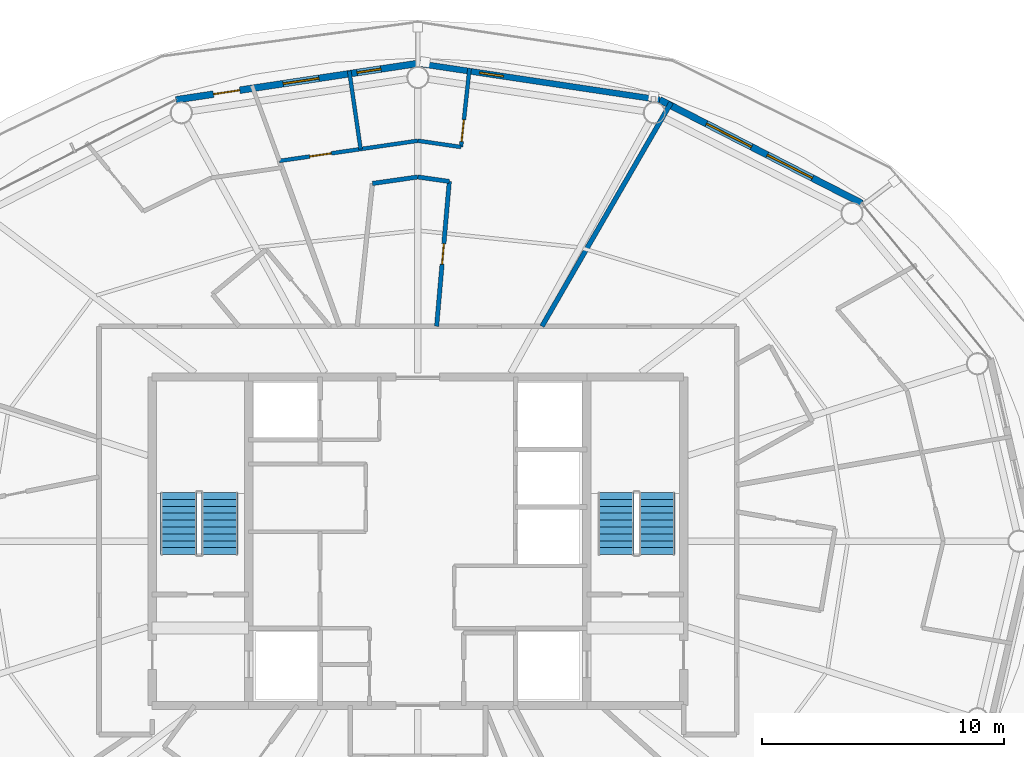
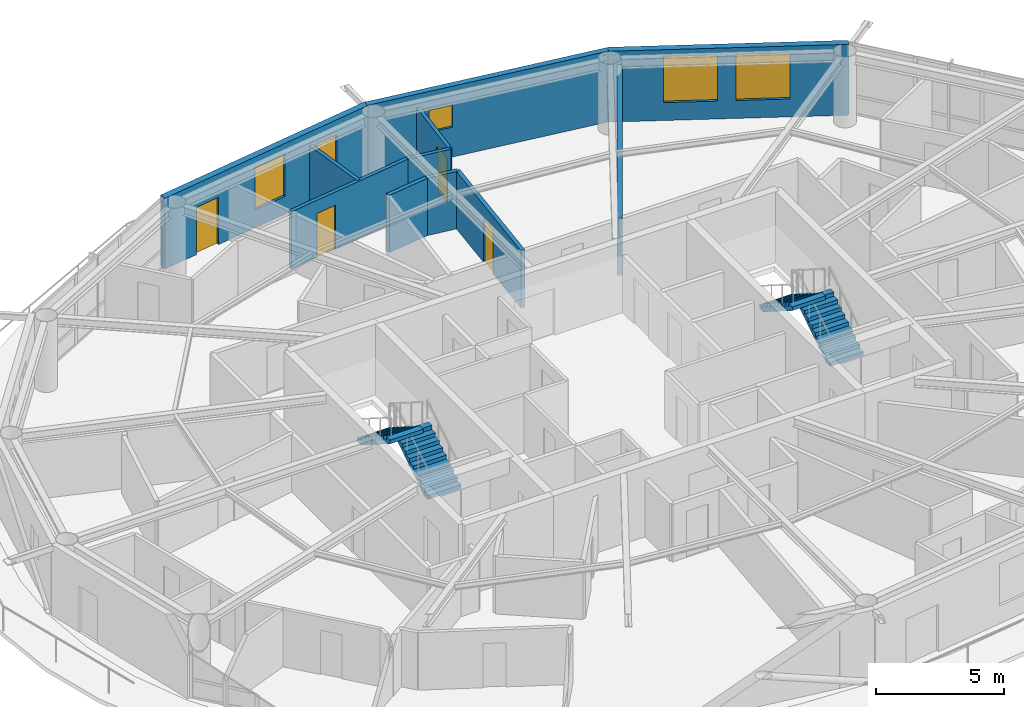
# One storey, part 19 of 22: 11 walls, 5 windows, 4 doors, 4 stair flights, 9 openings, 2 elements without a shape of their own.
"""IFC4 building model written with IfcOpenShell, lengths in metres."""

from ifc_helpers import new_model, si_unit, direction, frame, frame_2d, origin, place, context, subcontext, project, spatial, polyline, rectangle, outline, extrude, material, layer, layer_set, type_object, element, fill, aggregate, save


model = new_model("IFC4")

# Units and contexts
model_context = context("Model", 3, precision=1e-05, world=origin(), true_north=direction((0.0, 1.0)))
body_context = subcontext(model_context, "Body", "Model", "MODEL_VIEW")
ifc_project = project(units=[si_unit("LENGTHUNIT", "METRE"), si_unit("AREAUNIT", "SQUARE_METRE"), si_unit("VOLUMEUNIT", "CUBIC_METRE"), si_unit("PLANEANGLEUNIT", "RADIAN"), si_unit("MASSUNIT", "GRAM", prefix="KILO")], contexts=[model_context])

# Site, building, storey
site_placement = place(None, origin())
site = spatial("IfcSite", under=ifc_project, at=site_placement, CompositionType="ELEMENT")
building_placement = place(site_placement, origin())
building = spatial("IfcBuilding", under=site, at=building_placement, Name="Sarneth Arch Tower", CompositionType="ELEMENT")
storey_placement = place(building_placement, frame((0.0, 0.0, 298.199951171875)))
storey = spatial("IfcBuildingStorey", under=building, at=storey_placement, Name="L77", CompositionType="ELEMENT", Elevation=298.199951171875)

# Wall, opening, window
ifc_material_1 = material(Name="Extruded terracotta rainscreen on Concrete C40/50 backing", Category="masonry")
ifc_layer_1 = layer(ifc_material_1, 0.25)
ifc_layer_set_1 = layer_set([ifc_layer_1], Name="Extruded terracotta rainscreen on Concrete C40/50 backing")
wall_type_1 = type_object("IfcWallType", Name="WALL-EXT-SPAND-250", PredefinedType="SOLIDWALL", material=ifc_layer_set_1)
wall_1_placement = place(storey_placement, frame((58.0126953125, 60.2744140625, 0.0), z_axis=(0.0, 0.0, 1.0), x_axis=(-0.988882522213, 0.148698881169, 0.0)))
wall_1 = element("IfcWall", 1, at=wall_1_placement, inside=storey, type_object=wall_type_1, Name="L77 Terracotta perimeter wall 04", PredefinedType="SOLIDWALL", context=body_context, shape_type="SweptSolid", body=[
    extrude(rectangle(XDim=10.125244140625, YDim=0.25, at=frame_2d((5.0625, 0.0))), origin(), (0.0, 0.0, 1.0), 3.3701171875),
])
opening_1_placement = place(wall_1_placement, frame((6.5419921875, 0.0, 1.419921875)))
opening_1 = element("IfcOpeningElement", 2, at=opening_1_placement, cuts=wall_1, Name="Opening W-14", PredefinedType="OPENING", context=body_context, shape_type="SweptSolid", body=[
    extrude(rectangle(XDim=1.0, YDim=1.050048828125, at=frame_2d((0.5, 0.52490234375))), frame((0.0, 0.135009765625, 0.0), z_axis=(0.0, -1.0, 0.0), x_axis=(1.0, 0.0, 0.0)), (0.0, 0.0, 1.0), 0.27001953125),
])
ifc_material_2 = material(Name="Thermally broken Aluminium 6063-T6 and low-e laminated IGU", Category="aluminium")
window_type_1 = type_object("IfcWindowType", Name="WIN-TWR-1000x1050", PartitioningType="SINGLE_PANEL", PredefinedType="WINDOW", material=ifc_material_2)
window_1_placement = place(opening_1_placement, origin())
window_1 = element("IfcWindow", 3, at=window_1_placement, inside=storey, type_object=window_type_1, Name="L77 Dwelling bedroom window 01", OverallHeight=1.050048828125, OverallWidth=1.0, PartitioningType="SINGLE_PANEL", PredefinedType="WINDOW", context=body_context, shape_type="SweptSolid", body=[
    extrude(rectangle(XDim=1.0, YDim=1.050048828125, at=frame_2d((0.5, 0.52490234375))), frame((0.0, 0.030029296875, 0.0), z_axis=(0.0, -1.0, 0.0), x_axis=(1.0, 0.0, 0.0)), (0.0, 0.0, 1.0), 0.06005859375),
])
fill(opening_1, window_1)

# Wall, openings, windows
ifc_material_3 = material(Name="Extruded terracotta rainscreen on Concrete C40/50 backing", Category="masonry")
ifc_layer_2 = layer(ifc_material_3, 0.280029296875)
ifc_layer_set_2 = layer_set([ifc_layer_2], Name="Extruded terracotta rainscreen on Concrete C40/50 backing")
wall_type_2 = type_object("IfcWallType", Name="WALL-EXT-TERRA-280", PredefinedType="SOLIDWALL", material=ifc_layer_set_2)
wall_2_placement = place(storey_placement, frame((66.382568359375, 55.986572265625, 0.0), z_axis=(0.0, 0.0, 1.0), x_axis=(-0.890007394051, 0.455946091699, 0.0)))
wall_2 = element("IfcWall", 4, at=wall_2_placement, inside=storey, type_object=wall_type_2, Name="L77 Terracotta perimeter wall 03", PredefinedType="SOLIDWALL", context=body_context, shape_type="SweptSolid", body=[
    extrude(rectangle(XDim=9.404296875, YDim=0.280029296875, at=frame_2d((4.7021484375, 0.0))), origin(), (0.0, 0.0, 1.0), 3.3701171875),
])
opening_2_placement = place(wall_2_placement, frame((2.302734375, 0.0, 0.85009765625)))
opening_2 = element("IfcOpeningElement", 5, at=opening_2_placement, cuts=wall_2, Name="Opening W-03", PredefinedType="OPENING", context=body_context, shape_type="SweptSolid", body=[
    extrude(rectangle(XDim=2.10009765625, YDim=2.199951171875, at=frame_2d((1.050048828125, 1.10009765625))), frame((0.0, 0.14990234375, 0.0), z_axis=(0.0, -1.0, 0.0), x_axis=(1.0, 0.0, 0.0)), (0.0, 0.0, 1.0), 0.300048828125),
])
opening_3_placement = place(wall_2_placement, frame((5.1298828125, 0.0, 0.85009765625)))
opening_3 = element("IfcOpeningElement", 6, at=opening_3_placement, cuts=wall_2, Name="Opening W-03", PredefinedType="OPENING", context=body_context, shape_type="SweptSolid", body=[
    extrude(rectangle(XDim=2.10009765625, YDim=2.199951171875, at=frame_2d((1.050048828125, 1.10009765625))), frame((0.0, 0.14990234375, 0.0), z_axis=(0.0, -1.0, 0.0), x_axis=(1.0, 0.0, 0.0)), (0.0, 0.0, 1.0), 0.300048828125),
])
ifc_material_4 = material(Name="Thermally broken Aluminium 6063-T6 and low-e laminated IGU", Category="aluminium")
window_type_2 = type_object("IfcWindowType", Name="WIN-TWR-2100x2200", PartitioningType="DOUBLE_PANEL_VERTICAL", PredefinedType="WINDOW", material=ifc_material_4)
window_2_placement = place(opening_2_placement, origin())
window_2 = element("IfcWindow", 7, at=window_2_placement, inside=storey, type_object=window_type_2, Name="L77 Exterior window 03A", OverallHeight=2.199951171875, OverallWidth=2.10009765625, PartitioningType="SINGLE_PANEL", PredefinedType="WINDOW", context=body_context, shape_type="SweptSolid", body=[
    extrude(rectangle(XDim=2.10009765625, YDim=2.199951171875, at=frame_2d((1.050048828125, 1.10009765625))), frame((0.0, 0.030029296875, 0.0), z_axis=(0.0, -1.0, 0.0), x_axis=(1.0, 0.0, 0.0)), (0.0, 0.0, 1.0), 0.06005859375),
])
fill(opening_2, window_2)
window_3_placement = place(opening_3_placement, origin())
window_3 = element("IfcWindow", 8, at=window_3_placement, inside=storey, type_object=window_type_2, Name="L77 Exterior window 03B", OverallHeight=2.199951171875, OverallWidth=2.10009765625, PartitioningType="SINGLE_PANEL", PredefinedType="WINDOW", context=body_context, shape_type="SweptSolid", body=[
    extrude(rectangle(XDim=2.10009765625, YDim=2.199951171875, at=frame_2d((1.050048828125, 1.10009765625))), frame((0.0, 0.030029296875, 0.0), z_axis=(0.0, -1.0, 0.0), x_axis=(1.0, 0.0, 0.0)), (0.0, 0.0, 1.0), 0.06005859375),
])
fill(opening_3, window_3)

# Wall, openings, door, windows
wall_3_placement = place(storey_placement, frame((48.0, 61.780029296875, 0.0), z_axis=(0.0, 0.0, 1.0), x_axis=(-0.988882522213, -0.148698881169, 0.0)))
wall_3 = element("IfcWall", 9, at=wall_3_placement, inside=storey, type_object=wall_type_2, Name="L77 Terracotta perimeter wall 05", PredefinedType="SOLIDWALL", context=body_context, shape_type="SweptSolid", body=[
    extrude(rectangle(XDim=10.125244140625, YDim=0.280029296875, at=frame_2d((5.0625, 0.0))), origin(), (0.0, 0.0, 1.0), 3.3701171875),
])
opening_4_placement = place(wall_3_placement, frame((1.545166015625, 0.0, 0.85009765625)))
opening_4 = element("IfcOpeningElement", 10, at=opening_4_placement, cuts=wall_3, Name="Opening W-11", PredefinedType="OPENING", context=body_context, shape_type="SweptSolid", body=[
    extrude(rectangle(XDim=1.0, YDim=1.800048828125, at=frame_2d((0.5, 0.89990234375))), frame((0.0, 0.14990234375, 0.0), z_axis=(0.0, -1.0, 0.0), x_axis=(1.0, 0.0, 0.0)), (0.0, 0.0, 1.0), 0.300048828125),
])
opening_5_placement = place(wall_3_placement, frame((4.14013671875, 0.0, 0.85009765625)))
opening_5 = element("IfcOpeningElement", 11, at=opening_5_placement, cuts=wall_3, Name="Opening W-06", PredefinedType="OPENING", context=body_context, shape_type="SweptSolid", body=[
    extrude(rectangle(XDim=1.5, YDim=2.0, at=frame_2d((0.75, 1.0))), frame((0.0, 0.14990234375, 0.0), z_axis=(0.0, -1.0, 0.0), x_axis=(1.0, 0.0, 0.0)), (0.0, 0.0, 1.0), 0.300048828125),
])
opening_6_placement = place(wall_3_placement, frame((7.45556640625, 0.0, 0.0)))
opening_6 = element("IfcOpeningElement", 12, at=opening_6_placement, cuts=wall_3, Name="Opening BD-3", PredefinedType="OPENING", context=body_context, shape_type="SweptSolid", body=[
    extrude(rectangle(XDim=1.10009765625, YDim=2.25, at=frame_2d((0.550048828125, 1.125))), frame((0.0, 0.14990234375, 0.0), z_axis=(0.0, -1.0, 0.0), x_axis=(1.0, 0.0, 0.0)), (0.0, 0.0, 1.0), 0.300048828125),
])
ifc_material_5 = material(Name="Thermally broken Aluminium 6063-T6 and laminated safety glass", Category="aluminium")
door_type_1 = type_object("IfcDoorType", Name="DR-BALC-GLZ-1100", OperationType="SINGLE_SWING_LEFT", PredefinedType="DOOR", material=ifc_material_5)
door_1_placement = place(opening_6_placement, origin())
door_1 = element("IfcDoor", 13, at=door_1_placement, inside=storey, type_object=door_type_1, Name="L77 Balcony glazed door 05", OperationType="SINGLE_SWING_LEFT", OverallHeight=2.25, OverallWidth=1.10009765625, PredefinedType="DOOR", context=body_context, shape_type="SweptSolid", body=[
    extrude(rectangle(XDim=1.10009765625, YDim=2.25, at=frame_2d((0.550048828125, 1.125))), frame((0.0, 0.02490234375, 0.0), z_axis=(0.0, -1.0, 0.0), x_axis=(1.0, 0.0, 0.0)), (0.0, 0.0, 1.0), 0.050048828125),
])
fill(opening_6, door_1)
ifc_material_6 = material(Name="Thermally broken Aluminium 6063-T6 and low-e laminated IGU", Category="aluminium")
window_type_3 = type_object("IfcWindowType", Name="WIN-TWR-1000x1800", PartitioningType="SINGLE_PANEL", PredefinedType="WINDOW", material=ifc_material_6)
window_4_placement = place(opening_4_placement, origin())
window_4 = element("IfcWindow", 14, at=window_4_placement, inside=storey, type_object=window_type_3, Name="L77 Exterior window 05A", OverallHeight=1.800048828125, OverallWidth=1.0, PartitioningType="SINGLE_PANEL", PredefinedType="WINDOW", context=body_context, shape_type="SweptSolid", body=[
    extrude(rectangle(XDim=1.0, YDim=1.800048828125, at=frame_2d((0.5, 0.89990234375))), frame((0.0, 0.030029296875, 0.0), z_axis=(0.0, -1.0, 0.0), x_axis=(1.0, 0.0, 0.0)), (0.0, 0.0, 1.0), 0.06005859375),
])
fill(opening_4, window_4)
ifc_material_7 = material(Name="Thermally broken Aluminium 6063-T6 and low-e laminated IGU", Category="aluminium")
window_type_4 = type_object("IfcWindowType", Name="WIN-TWR-1500x2000", PartitioningType="SINGLE_PANEL", PredefinedType="WINDOW", material=ifc_material_7)
window_5_placement = place(opening_5_placement, origin())
window_5 = element("IfcWindow", 15, at=window_5_placement, inside=storey, type_object=window_type_4, Name="L77 Exterior window 05B", OverallHeight=2.0, OverallWidth=1.5, PartitioningType="SINGLE_PANEL", PredefinedType="WINDOW", context=body_context, shape_type="SweptSolid", body=[
    extrude(rectangle(XDim=1.5, YDim=2.0, at=frame_2d((0.75, 1.0))), frame((0.0, 0.030029296875, 0.0), z_axis=(0.0, -1.0, 0.0), x_axis=(1.0, 0.0, 0.0)), (0.0, 0.0, 1.0), 0.06005859375),
])
fill(opening_5, window_5)

# Wall, opening, door
ifc_material_8 = material(Name="Kitchen wet service chase wall", Category="gypsum")
ifc_layer_3 = layer(ifc_material_8, 0.159912109375)
ifc_layer_set_3 = layer_set([ifc_layer_3], Name="Kitchen wet service chase wall")
wall_type_3 = type_object("IfcWallType", Name="WALL-PLUMB-160", PredefinedType="PLUMBINGWALL", material=ifc_layer_set_3)
wall_4_placement = place(storey_placement, frame((42.26953125, 57.744384765625, 0.0), z_axis=(0.0, 0.0, 1.0), x_axis=(0.989539000253, 0.144265612597, 0.0)))
wall_4 = element("IfcWall", 16, at=wall_4_placement, inside=storey, type_object=wall_type_3, Name="L77 Interior partition W-L77-TP-043", PredefinedType="PLUMBINGWALL", context=body_context, shape_type="SweptSolid", body=[
    extrude(rectangle(XDim=5.791015625, YDim=0.159912109375, at=frame_2d((2.8955078125, 0.0))), origin(), (0.0, 0.0, 1.0), 2.72998046875),
])
opening_7_placement = place(wall_4_placement, frame((1.26513671875, 0.0, 0.0)))
opening_7 = element("IfcOpeningElement", 17, at=opening_7_placement, cuts=wall_4, Name="Opening ID-01", PredefinedType="OPENING", context=body_context, shape_type="SweptSolid", body=[
    extrude(rectangle(XDim=0.89990234375, YDim=2.10009765625, at=frame_2d((0.449951171875, 1.050048828125))), frame((0.0, 0.08984375, 0.0), z_axis=(0.0, -1.0, 0.0), x_axis=(1.0, 0.0, 0.0)), (0.0, 0.0, 1.0), 0.179931640625),
])
ifc_material_9 = material(Name="Engineered hardwood flush door", Category="wood")
door_type_2 = type_object("IfcDoorType", Name="DR-INT-900", OperationType="SINGLE_SWING_LEFT", PredefinedType="DOOR", material=ifc_material_9)
door_2_placement = place(opening_7_placement, origin())
door_2 = element("IfcDoor", 18, at=door_2_placement, inside=storey, type_object=door_type_2, Name="L77 Interior door DR-L77-U2-BED1", OperationType="SINGLE_SWING_LEFT", OverallHeight=2.10009765625, OverallWidth=0.89990234375, PredefinedType="DOOR", context=body_context, shape_type="SweptSolid", body=[
    extrude(rectangle(XDim=0.89990234375, YDim=2.10009765625, at=frame_2d((0.449951171875, 1.050048828125))), frame((0.0, 0.02490234375, 0.0), z_axis=(0.0, -1.0, 0.0), x_axis=(1.0, 0.0, 0.0)), (0.0, 0.0, 1.0), 0.050048828125),
])
fill(opening_7, door_2)

wall_5_placement = place(storey_placement, frame((49.784912109375, 58.319580078125, 0.0), z_axis=(0.0, 0.0, 1.0), x_axis=(0.10862542944, 0.994082751122, 0.0)))
wall_5 = element("IfcWall", 19, at=wall_5_placement, inside=storey, type_object=wall_type_3, Name="L77 Interior partition W-L77-TP-038", PredefinedType="PLUMBINGWALL", context=body_context, shape_type="SweptSolid", body=[
    extrude(rectangle(XDim=3.279052734375, YDim=0.159912109375, at=frame_2d((1.6396484375, 0.0))), origin(), (0.0, 0.0, 1.0), 2.72998046875),
])
opening_8_placement = place(wall_5_placement, frame((0.2294921875, 0.0, 0.0)))
opening_8 = element("IfcOpeningElement", 20, at=opening_8_placement, cuts=wall_5, Name="Opening ID-01", PredefinedType="OPENING", context=body_context, shape_type="SweptSolid", body=[
    extrude(rectangle(XDim=0.89990234375, YDim=2.10009765625, at=frame_2d((0.449951171875, 1.050048828125))), frame((0.0, 0.08984375, 0.0), z_axis=(0.0, -1.0, 0.0), x_axis=(1.0, 0.0, 0.0)), (0.0, 0.0, 1.0), 0.179931640625),
])
door_3_placement = place(opening_8_placement, origin())
door_3 = element("IfcDoor", 21, at=door_3_placement, inside=storey, type_object=door_type_2, Name="L77 Interior door DR-L77-U2-KIT", OperationType="SINGLE_SWING_RIGHT", OverallHeight=2.10009765625, OverallWidth=0.89990234375, PredefinedType="DOOR", context=body_context, shape_type="SweptSolid", body=[
    extrude(rectangle(XDim=0.89990234375, YDim=2.10009765625, at=frame_2d((0.449951171875, 1.050048828125))), frame((0.0, 0.02490234375, 0.0), z_axis=(0.0, -1.0, 0.0), x_axis=(1.0, 0.0, 0.0)), (0.0, 0.0, 1.0), 0.050048828125),
])
fill(opening_8, door_3)

# Walls
wall_6_placement = place(storey_placement, frame((45.632080078125, 58.234619140625, 0.0), z_axis=(0.0, 0.0, 1.0), x_axis=(-0.144229306062, 0.989544292729, 0.0)))
element("IfcWall", 22, at=wall_6_placement, inside=storey, type_object=wall_type_3, Name="L77 Interior partition W-L77-TP-046", PredefinedType="PLUMBINGWALL", context=body_context, shape_type="SweptSolid", body=[
    extrude(rectangle(XDim=3.273681640625, YDim=0.159912109375, at=frame_2d((1.63671875, 0.0))), origin(), (0.0, 0.0, 1.0), 2.72998046875),
])
wall_7_placement = place(storey_placement, frame((48.0, 58.580078125, 0.0), z_axis=(0.0, 0.0, 1.0), x_axis=(0.989517272035, -0.144414571093, 0.0)))
element("IfcWall", 23, at=wall_7_placement, inside=storey, type_object=wall_type_3, Name="L77 Interior partition W-L77-TP-037", PredefinedType="PLUMBINGWALL", context=body_context, shape_type="SweptSolid", body=[
    extrude(rectangle(XDim=1.8037109375, YDim=0.159912109375, at=frame_2d((0.90185546875, 0.0))), origin(), (0.0, 0.0, 1.0), 2.72998046875),
])

# Wall, opening, door
ifc_material_10 = material(Name="Moisture-resistant plumbing chase wall", Category="gypsum")
ifc_layer_4 = layer(ifc_material_10, 0.179931640625)
ifc_layer_set_4 = layer_set([ifc_layer_4], Name="Moisture-resistant plumbing chase wall")
wall_type_4 = type_object("IfcWallType", Name="WALL-PLUMB-180", PredefinedType="PLUMBINGWALL", material=ifc_layer_set_4)
wall_8_placement = place(storey_placement, frame((48.778564453125, 50.89990234375, 0.0), z_axis=(0.0, 0.0, 1.0), x_axis=(0.087161916548, 0.996194157935, 0.0)))
wall_8 = element("IfcWall", 24, at=wall_8_placement, inside=storey, type_object=wall_type_4, Name="L77 Interior partition W-L77-TP-039", PredefinedType="PLUMBINGWALL", context=body_context, shape_type="SweptSolid", body=[
    extrude(rectangle(XDim=6.0166015625, YDim=0.179931640625, at=frame_2d((3.00830078125, 0.0))), origin(), (0.0, 0.0, 1.0), 2.72998046875),
])
opening_9_placement = place(wall_8_placement, frame((2.583251953125, 0.0, 0.0)))
opening_9 = element("IfcOpeningElement", 25, at=opening_9_placement, cuts=wall_8, Name="Opening ID-02", PredefinedType="OPENING", context=body_context, shape_type="SweptSolid", body=[
    extrude(rectangle(XDim=0.85009765625, YDim=2.10009765625, at=frame_2d((0.425048828125, 1.050048828125))), frame((0.0, 0.099853515625, 0.0), z_axis=(0.0, -1.0, 0.0), x_axis=(1.0, 0.0, 0.0)), (0.0, 0.0, 1.0), 0.199951171875),
])
ifc_material_11 = material(Name="Moisture-resistant bathroom timber door", Category="wood")
door_type_3 = type_object("IfcDoorType", Name="DR-INT-850", OperationType="SINGLE_SWING_RIGHT", PredefinedType="DOOR", material=ifc_material_11)
door_4_placement = place(opening_9_placement, origin())
door_4 = element("IfcDoor", 26, at=door_4_placement, inside=storey, type_object=door_type_3, Name="L77 Interior door DR-L77-U2-BATH", OperationType="SINGLE_SWING_LEFT", OverallHeight=2.10009765625, OverallWidth=0.85009765625, PredefinedType="DOOR", context=body_context, shape_type="SweptSolid", body=[
    extrude(rectangle(XDim=0.85009765625, YDim=2.10009765625, at=frame_2d((0.425048828125, 1.050048828125))), frame((0.0, 0.02490234375, 0.0), z_axis=(0.0, -1.0, 0.0), x_axis=(1.0, 0.0, 0.0)), (0.0, 0.0, 1.0), 0.050048828125),
])
fill(opening_9, door_4)

# Walls
wall_9_placement = place(storey_placement, frame((48.0, 57.080078125, 0.0), z_axis=(0.0, 0.0, 1.0), x_axis=(-0.989916014165, -0.141655514894, 0.0)))
element("IfcWall", 27, at=wall_9_placement, inside=storey, type_object=wall_type_4, Name="L77 Interior partition W-L77-TP-041", PredefinedType="PLUMBINGWALL", context=body_context, shape_type="SweptSolid", body=[
    extrude(rectangle(XDim=1.8974609375, YDim=0.179931640625, at=frame_2d((0.94873046875, 0.0))), origin(), (0.0, 0.0, 1.0), 2.72998046875),
])
wall_10_placement = place(storey_placement, frame((49.302978515625, 56.8935546875, 0.0), z_axis=(0.0, 0.0, 1.0), x_axis=(-0.989908646774, 0.141706990095, 0.0)))
element("IfcWall", 28, at=wall_10_placement, inside=storey, type_object=wall_type_4, Name="L77 Interior partition W-L77-TP-040", PredefinedType="PLUMBINGWALL", context=body_context, shape_type="SweptSolid", body=[
    extrude(rectangle(XDim=1.316162109375, YDim=0.179931640625, at=frame_2d((0.658203125, 0.0))), origin(), (0.0, 0.0, 1.0), 2.72998046875),
])
ifc_material_12 = material(Name="Double steel-stud acoustic drywall", Category="steel")
ifc_layer_5 = layer(ifc_material_12, 0.199951171875)
ifc_layer_set_5 = layer_set([ifc_layer_5], Name="Double steel-stud acoustic drywall")
wall_type_5 = type_object("IfcWallType", Name="WALL-UNIT-200", PredefinedType="PARTITIONING", material=ifc_layer_set_5)
wall_11_placement = place(storey_placement, frame((58.48779296875, 60.16552734375, 0.0), z_axis=(0.0, 0.0, 1.0), x_axis=(-0.499989775579, -0.866031306776, 0.0)))
element("IfcWall", 29, at=wall_11_placement, inside=storey, type_object=wall_type_5, Name="L77 Interior partition W-L77-TP-033", PredefinedType="PARTITIONING", context=body_context, shape_type="SweptSolid", body=[
    extrude(rectangle(XDim=10.698974609375, YDim=0.199951171875, at=frame_2d((5.349609375, 0.0))), origin(), (0.0, 0.0, 1.0), 2.72998046875),
])

# Stair, stair flights
ifc_material_13 = material(Name="Concrete C50/60", Category="concrete")
stair_type = type_object("IfcStairType", Name="STAIR-CORE-RC", PredefinedType="HALF_TURN_STAIR", material=ifc_material_13)
stair_1_placement = place(storey_placement, origin())
stair_1 = element("IfcStair", 30, at=stair_1_placement, inside=storey, type_object=stair_type, Name="L77 Core Exit Stair 1", PredefinedType="HALF_TURN_STAIR")
ifc_material_14 = material(Name="Concrete C50/60", Category="concrete")
stair_flight_type = type_object("IfcStairFlightType", Name="FLIGHT-RC-1500", PredefinedType="STRAIGHT", material=ifc_material_14)
stair_flight_1_placement = place(storey_placement, frame((39.800048828125, 41.449951171875, 0.0), z_axis=(0.0, 0.0, 1.0), x_axis=(0.0, 1.0, 0.0)))
stair_flight_1 = element("IfcStairFlight", 31, at=stair_flight_1_placement, type_object=stair_flight_type, Name="ST-1 flight 1", NumberOfRisers=10, NumberOfTreads=9, PredefinedType="STRAIGHT", RiserHeight=0.18, TreadLength=0.285, context=body_context, shape_type="SweptSolid", body=[
    extrude(outline(polyline([(0.0, 0.0), (0.0, 0.179931640625), (0.284912109375, 0.179931640625), (0.284912109375, 0.360107421875), (0.570068359375, 0.360107421875), (0.570068359375, 0.5400390625), (0.85498046875, 0.5400390625), (0.85498046875, 0.719970703125), (1.139892578125, 0.719970703125), (1.139892578125, 0.89990234375), (1.425048828125, 0.89990234375), (1.425048828125, 1.080078125), (1.7099609375, 1.080078125), (1.7099609375, 1.260009765625), (1.9951171875, 1.260009765625), (1.9951171875, 1.43994140625), (2.280029296875, 1.43994140625), (2.280029296875, 1.6201171875), (2.56494140625, 1.6201171875), (2.56494140625, 1.800048828125), (2.56494140625, 1.442626953125), (0.28076171875, 0.0), (0.0, 0.0)])), frame((0.0, 0.75, 0.0), z_axis=(0.0, -1.0, 0.0), x_axis=(1.0, 0.0, 0.0)), (0.0, 0.0, 1.0), 1.5),
])
stair_flight_2_placement = place(storey_placement, frame((38.10009765625, 44.014892578125, 1.800048828125), z_axis=(0.0, 0.0, 1.0), x_axis=(0.0, -1.0, 0.0)))
stair_flight_2 = element("IfcStairFlight", 32, at=stair_flight_2_placement, type_object=stair_flight_type, Name="ST-1 flight 2", NumberOfRisers=10, NumberOfTreads=9, PredefinedType="STRAIGHT", RiserHeight=0.18, TreadLength=0.285, context=body_context, shape_type="SweptSolid", body=[
    extrude(outline(polyline([(0.0, 0.0), (0.0, 0.179931640625), (0.284912109375, 0.179931640625), (0.284912109375, 0.360107421875), (0.570068359375, 0.360107421875), (0.570068359375, 0.5400390625), (0.85498046875, 0.5400390625), (0.85498046875, 0.719970703125), (1.139892578125, 0.719970703125), (1.139892578125, 0.89990234375), (1.425048828125, 0.89990234375), (1.425048828125, 1.080078125), (1.7099609375, 1.080078125), (1.7099609375, 1.260009765625), (1.9951171875, 1.260009765625), (1.9951171875, 1.43994140625), (2.280029296875, 1.43994140625), (2.280029296875, 1.6201171875), (2.56494140625, 1.6201171875), (2.56494140625, 1.800048828125), (2.56494140625, 1.442626953125), (0.28076171875, 0.0), (0.0, 0.0)])), frame((0.0, 0.75, 0.0), z_axis=(0.0, -1.0, 0.0), x_axis=(1.0, 0.0, 0.0)), (0.0, 0.0, 1.0), 1.5),
])
aggregate(stair_1, [stair_flight_1, stair_flight_2])

stair_2_placement = place(storey_placement, origin())
stair_2 = element("IfcStair", 33, at=stair_2_placement, inside=storey, type_object=stair_type, Name="L77 Core Exit Stair 2", PredefinedType="HALF_TURN_STAIR")
stair_flight_3_placement = place(storey_placement, frame((57.89990234375, 41.449951171875, 0.0), z_axis=(0.0, 0.0, 1.0), x_axis=(0.0, 1.0, 0.0)))
stair_flight_3 = element("IfcStairFlight", 34, at=stair_flight_3_placement, type_object=stair_flight_type, Name="ST-2 flight 1", NumberOfRisers=10, NumberOfTreads=9, PredefinedType="STRAIGHT", RiserHeight=0.18, TreadLength=0.285, context=body_context, shape_type="SweptSolid", body=[
    extrude(outline(polyline([(0.0, 0.0), (0.0, 0.179931640625), (0.284912109375, 0.179931640625), (0.284912109375, 0.360107421875), (0.570068359375, 0.360107421875), (0.570068359375, 0.5400390625), (0.85498046875, 0.5400390625), (0.85498046875, 0.719970703125), (1.139892578125, 0.719970703125), (1.139892578125, 0.89990234375), (1.425048828125, 0.89990234375), (1.425048828125, 1.080078125), (1.7099609375, 1.080078125), (1.7099609375, 1.260009765625), (1.9951171875, 1.260009765625), (1.9951171875, 1.43994140625), (2.280029296875, 1.43994140625), (2.280029296875, 1.6201171875), (2.56494140625, 1.6201171875), (2.56494140625, 1.800048828125), (2.56494140625, 1.442626953125), (0.28076171875, 0.0), (0.0, 0.0)])), frame((0.0, 0.75, 0.0), z_axis=(0.0, -1.0, 0.0), x_axis=(1.0, 0.0, 0.0)), (0.0, 0.0, 1.0), 1.5),
])
stair_flight_4_placement = place(storey_placement, frame((56.199951171875, 44.014892578125, 1.800048828125), z_axis=(0.0, 0.0, 1.0), x_axis=(0.0, -1.0, 0.0)))
stair_flight_4 = element("IfcStairFlight", 35, at=stair_flight_4_placement, type_object=stair_flight_type, Name="ST-2 flight 2", NumberOfRisers=10, NumberOfTreads=9, PredefinedType="STRAIGHT", RiserHeight=0.18, TreadLength=0.285, context=body_context, shape_type="SweptSolid", body=[
    extrude(outline(polyline([(0.0, 0.0), (0.0, 0.179931640625), (0.284912109375, 0.179931640625), (0.284912109375, 0.360107421875), (0.570068359375, 0.360107421875), (0.570068359375, 0.5400390625), (0.85498046875, 0.5400390625), (0.85498046875, 0.719970703125), (1.139892578125, 0.719970703125), (1.139892578125, 0.89990234375), (1.425048828125, 0.89990234375), (1.425048828125, 1.080078125), (1.7099609375, 1.080078125), (1.7099609375, 1.260009765625), (1.9951171875, 1.260009765625), (1.9951171875, 1.43994140625), (2.280029296875, 1.43994140625), (2.280029296875, 1.6201171875), (2.56494140625, 1.6201171875), (2.56494140625, 1.800048828125), (2.56494140625, 1.442626953125), (0.28076171875, 0.0), (0.0, 0.0)])), frame((0.0, 0.75, 0.0), z_axis=(0.0, -1.0, 0.0), x_axis=(1.0, 0.0, 0.0)), (0.0, 0.0, 1.0), 1.5),
])
aggregate(stair_2, [stair_flight_3, stair_flight_4])

save(model, "model.ifc")
